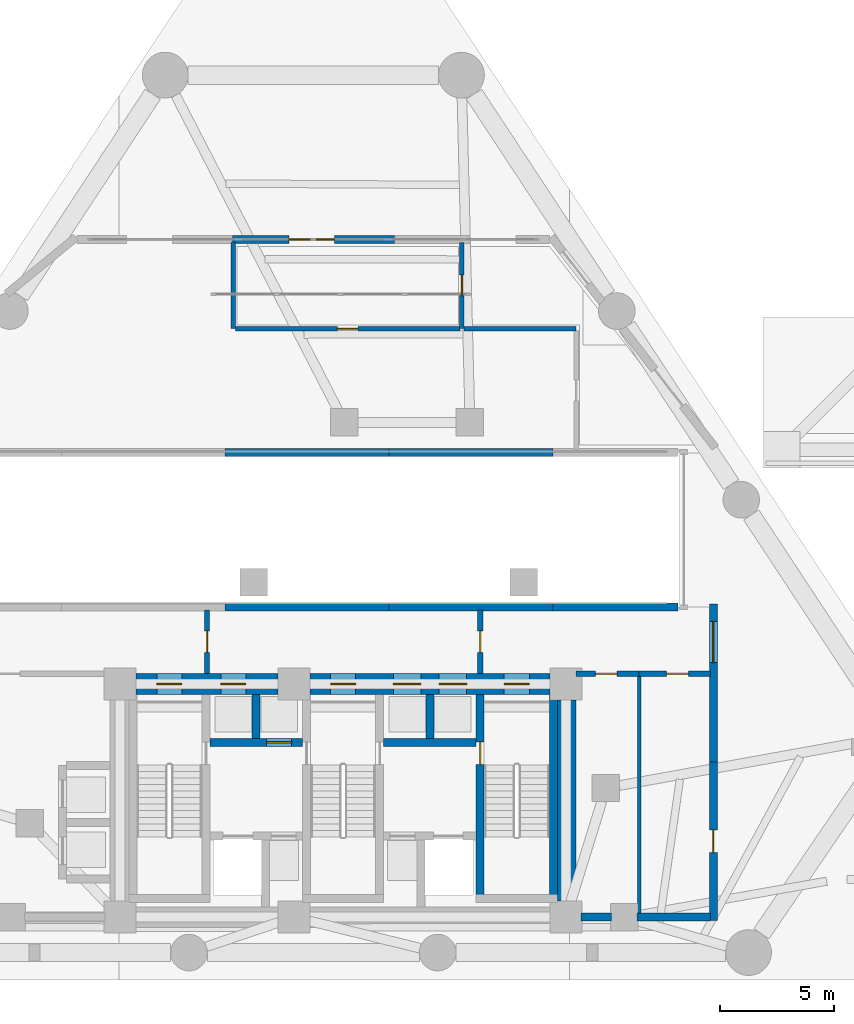
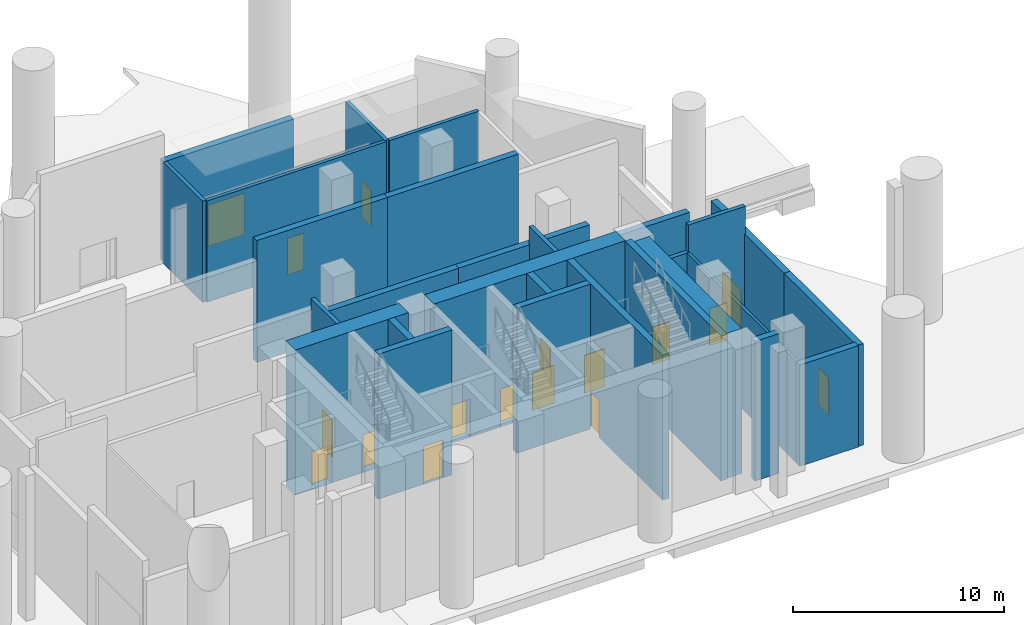
# One storey, part 7 of 12: 28 walls, 17 doors, 17 openings.
"""IFC4 building model written with IfcOpenShell, lengths in metres."""

from ifc_helpers import new_model, si_unit, direction, frame, frame_2d, origin, place, context, subcontext, project, spatial, rectangle, extrude, material, layer, layer_set, type_object, element, fill, save


model = new_model("IFC4")

# Units and contexts
model_context = context("Model", 3, precision=1e-05, world=origin(), true_north=direction((0.0, 1.0)))
body_context = subcontext(model_context, "Body", "Model", "MODEL_VIEW")
ifc_project = project(units=[si_unit("LENGTHUNIT", "METRE"), si_unit("AREAUNIT", "SQUARE_METRE"), si_unit("VOLUMEUNIT", "CUBIC_METRE"), si_unit("PLANEANGLEUNIT", "RADIAN"), si_unit("MASSUNIT", "GRAM", prefix="KILO")], contexts=[model_context])

# Site, building, storey
site_placement = place(None, origin())
site = spatial("IfcSite", under=ifc_project, at=site_placement, CompositionType="ELEMENT")
building_placement = place(site_placement, origin())
building = spatial("IfcBuilding", under=site, at=building_placement, Name="Almagre Mirador Tower", CompositionType="ELEMENT")
storey_placement = place(building_placement, origin())
storey = spatial("IfcBuildingStorey", under=building, at=storey_placement, Name="L00", CompositionType="ELEMENT", Elevation=0.0)

# Walls
ifc_material_1 = material(Name="Precast concrete C50/60", Category="concrete")
ifc_layer_1 = layer(ifc_material_1, 0.35009765625)
ifc_layer_set_1 = layer_set([ifc_layer_1], Name="Precast concrete C50/60")
wall_type_1 = type_object("IfcWallType", Name="WAL-EXT-350", PredefinedType="SOLIDWALL", material=ifc_layer_set_1)
for number, where, z_axis, x_axis, name in (
    (1, (46.47412109375, 24.8798828125, 0.0), (0.0, 0.0, 1.0), (-1.0, 0.0, 0.0), "L00 ground enclosure wall 3.2"),
    (2, (39.30810546875, 24.8798828125, 0.0), (0.0, 0.0, 1.0), (-1.0, 0.0, 0.0), "L00 ground enclosure wall 3.3"),
    (3, (32.14208984375, 18.1201171875, 0.0), (0.0, 0.0, 1.0), (1.0, 0.0, 0.0), "L00 ground enclosure wall 5.3"),
    (4, (39.30810546875, 18.1201171875, 0.0), (0.0, 0.0, 1.0), (1.0, 0.0, 0.0), "L00 ground enclosure wall 5.4"),
):
    element("IfcWall", number, at=place(storey_placement, frame(where, z_axis=z_axis, x_axis=x_axis)), inside=storey, type_object=wall_type_1, Name=name, PredefinedType="SOLIDWALL", context=body_context, shape_type="SweptSolid", body=[
        extrude(rectangle(XDim=7.166015625, YDim=0.35009765625, at=frame_2d((3.5830078125, 0.0))), origin(), (0.0, 0.0, 1.0), 7.06396484375),
    ])
wall_1_placement = place(storey_placement, frame((46.47412109375, 18.1201171875, 0.0), z_axis=(0.0, 0.0, 1.0), x_axis=(1.0, 0.0, 0.0)))
element("IfcWall", 5, at=wall_1_placement, inside=storey, type_object=wall_type_1, Name="L00 ground enclosure wall 5.5", PredefinedType="SOLIDWALL", context=body_context, shape_type="SweptSolid", body=[
    extrude(rectangle(XDim=5.48583984375, YDim=0.35009765625, at=frame_2d((2.742919921875, 0.0))), origin(), (0.0, 0.0, 1.0), 5.875),
])

# Wall, opening, door
wall_2_placement = place(storey_placement, frame((53.5, 18.260009765625, 0.0), z_axis=(0.0, 0.0, 1.0), x_axis=(0.0, -1.0, 0.0)))
wall_2 = element("IfcWall", 6, at=wall_2_placement, inside=storey, type_object=wall_type_1, Name="L00 ground enclosure wall 6.1", PredefinedType="SOLIDWALL", context=body_context, shape_type="SweptSolid", body=[
    extrude(rectangle(XDim=6.925048828125, YDim=0.35009765625, at=frame_2d((3.46240234375, 0.0))), origin(), (0.0, 0.0, 1.0), 5.875),
])
opening_1_placement = place(wall_2_placement, frame((0.780029296875, 0.0, 0.0)))
opening_1 = element("IfcOpeningElement", 7, at=opening_1_placement, cuts=wall_2, Name="Opening ED-01", PredefinedType="OPENING", context=body_context, shape_type="SweptSolid", body=[
    extrude(rectangle(XDim=1.800048828125, YDim=2.199951171875, at=frame_2d((0.89990234375, 1.10009765625))), frame((0.0, 0.185049, 0.0), z_axis=(0.0, -1.0, 0.0), x_axis=(1.0, 0.0, 0.0)), (0.0, 0.0, 1.0), 0.370098),
])
ifc_material_2 = material(Name="Black anodized aluminium and laminated glass", Category="aluminium")
door_type_1 = type_object("IfcDoorType", Name="DOR-EXT-DBL-1800", OperationType="DOUBLE_DOOR_SINGLE_SWING", PredefinedType="DOOR", material=ifc_material_2)
door_1_placement = place(opening_1_placement, origin())
door_1 = element("IfcDoor", 8, at=door_1_placement, inside=storey, type_object=door_type_1, Name="DR-0037 L00 Protected Exit Passageway ST-3 final exit door ED-01", OperationType="DOUBLE_DOOR_SINGLE_SWING", OverallHeight=2.199951171875, OverallWidth=1.800048828125, PredefinedType="DOOR", context=body_context, shape_type="SweptSolid", body=[
    extrude(rectangle(XDim=1.800048828125, YDim=2.199951171875, at=frame_2d((0.89990234375, 1.10009765625))), frame((0.0, 0.02490234375, 0.0), z_axis=(0.0, -1.0, 0.0), x_axis=(1.0, 0.0, 0.0)), (0.0, 0.0, 1.0), 0.050048828125),
])
fill(opening_1, door_1)

wall_3_placement = place(storey_placement, frame((53.5, 11.3349609375, 0.0), z_axis=(0.0, 0.0, 1.0), x_axis=(0.0, -1.0, 0.0)))
wall_3 = element("IfcWall", 9, at=wall_3_placement, inside=storey, type_object=wall_type_1, Name="L00 ground enclosure wall 6.2", PredefinedType="SOLIDWALL", context=body_context, shape_type="SweptSolid", body=[
    extrude(rectangle(XDim=6.925048828125, YDim=0.35009765625, at=frame_2d((3.46240234375, 0.0))), origin(), (0.0, 0.0, 1.0), 5.875),
])
opening_2_placement = place(wall_3_placement, frame((2.96240234375, 0.0, 0.0)))
opening_2 = element("IfcOpeningElement", 10, at=opening_2_placement, cuts=wall_3, Name="Opening ED-03", PredefinedType="OPENING", context=body_context, shape_type="SweptSolid", body=[
    extrude(rectangle(XDim=1.0, YDim=2.14990234375, at=frame_2d((0.5, 1.074951171875))), frame((0.0, 0.185049, 0.0), z_axis=(0.0, -1.0, 0.0), x_axis=(1.0, 0.0, 0.0)), (0.0, 0.0, 1.0), 0.370098),
])
ifc_material_3 = material(Name="Hollow galvanized steel", Category="steel")
door_type_2 = type_object("IfcDoorType", Name="DOR-EXT-FCC-1000", OperationType="NOTDEFINED", PredefinedType="DOOR", material=ifc_material_3)
door_2_placement = place(opening_2_placement, origin())
door_2 = element("IfcDoor", 11, at=door_2_placement, inside=storey, type_object=door_type_2, Name="DR-0043 L00 Fire Command Center exterior access door", OperationType="SINGLE_SWING_LEFT", OverallHeight=2.14990234375, OverallWidth=1.0, PredefinedType="DOOR", context=body_context, shape_type="SweptSolid", body=[
    extrude(rectangle(XDim=1.0, YDim=2.14990234375, at=frame_2d((0.5, 1.074951171875))), frame((0.0, 0.02490234375, 0.0), z_axis=(0.0, -1.0, 0.0), x_axis=(1.0, 0.0, 0.0)), (0.0, 0.0, 1.0), 0.050048828125),
])
fill(opening_2, door_2)

# Walls
wall_4_placement = place(storey_placement, frame((53.3798828125, 4.550048828125, 0.0), z_axis=(0.0, 0.0, 1.0), x_axis=(-1.0, 0.0, 0.0)))
element("IfcWall", 12, at=wall_4_placement, inside=storey, type_object=wall_type_1, Name="L00 ground enclosure wall 7.1", PredefinedType="SOLIDWALL", context=body_context, shape_type="SweptSolid", body=[
    extrude(rectangle(XDim=3.2177734375, YDim=0.35009765625, at=frame_2d((1.60888671875, 0.0))), origin(), (0.0, 0.0, 1.0), 5.875),
])
wall_5_placement = place(storey_placement, frame((49.0380859375, 4.550048828125, 0.0), z_axis=(0.0, 0.0, 1.0), x_axis=(-1.0, 0.0, 0.0)))
element("IfcWall", 13, at=wall_5_placement, inside=storey, type_object=wall_type_1, Name="L00 ground enclosure wall 7.2", PredefinedType="SOLIDWALL", context=body_context, shape_type="SweptSolid", body=[
    extrude(rectangle(XDim=1.326171875, YDim=0.35009765625, at=frame_2d((0.6630859375, 0.0))), origin(), (0.0, 0.0, 1.0), 8.10009765625),
])

# Wall, opening, door
wall_6_placement = place(storey_placement, frame((32.453369140625, 34.199951171875, 0.0), z_axis=(0.0, 0.0, 1.0), x_axis=(1.0, 0.0, 0.0)))
wall_6 = element("IfcWall", 14, at=wall_6_placement, inside=storey, type_object=wall_type_1, Name="L00 ground enclosure wall 11.2", PredefinedType="SOLIDWALL", context=body_context, shape_type="SweptSolid", body=[
    extrude(rectangle(XDim=7.09326171875, YDim=0.35009765625, at=frame_2d((3.546630859375, 0.0))), origin(), (0.0, 0.0, 1.0), 5.875),
])
opening_3_placement = place(wall_6_placement, frame((2.4716796875, 0.0, 0.0)))
opening_3 = element("IfcOpeningElement", 15, at=opening_3_placement, cuts=wall_6, Name="Opening ED-02", PredefinedType="OPENING", context=body_context, shape_type="SweptSolid", body=[
    extrude(rectangle(XDim=2.0, YDim=2.39990234375, at=frame_2d((1.0, 1.199951171875))), frame((0.0, 0.185049, 0.0), z_axis=(0.0, -1.0, 0.0), x_axis=(1.0, 0.0, 0.0)), (0.0, 0.0, 1.0), 0.370098),
])
ifc_material_4 = material(Name="Black anodized aluminium and laminated glass", Category="aluminium")
door_type_3 = type_object("IfcDoorType", Name="DOR-EXT-ENT-2000", OperationType="DOUBLE_DOOR_SINGLE_SWING", PredefinedType="DOOR", material=ifc_material_4)
door_3_placement = place(opening_3_placement, origin())
door_3 = element("IfcDoor", 16, at=door_3_placement, inside=storey, type_object=door_type_3, Name="DR-0041 L00 main plaza entrance double door 11-2", OperationType="DOUBLE_DOOR_SINGLE_SWING", OverallHeight=2.39990234375, OverallWidth=2.0, PredefinedType="DOOR", context=body_context, shape_type="SweptSolid", body=[
    extrude(rectangle(XDim=2.0, YDim=2.39990234375, at=frame_2d((1.0, 1.199951171875))), frame((0.0, 0.02490234375, 0.0), z_axis=(0.0, -1.0, 0.0), x_axis=(1.0, 0.0, 0.0)), (0.0, 0.0, 1.0), 0.050048828125),
])
fill(opening_3, door_3)

# Wall
ifc_material_5 = material(Name="Gypsum acoustic stud partition", Category="other")
ifc_layer_2 = layer(ifc_material_5, 0.14990234375)
ifc_layer_set_2 = layer_set([ifc_layer_2], Name="Gypsum acoustic stud partition")
wall_type_2 = type_object("IfcWallType", Name="WAL-PRT-150-STD", PredefinedType="PARTITIONING", material=ifc_layer_set_2)
wall_7_placement = place(storey_placement, frame((50.25, 4.675048828125, 0.0), z_axis=(0.0, 0.0, 1.0), x_axis=(0.0, 1.0, 0.0)))
element("IfcWall", 17, at=wall_7_placement, inside=storey, type_object=wall_type_2, Name="L00 interior partition 013", PredefinedType="PARTITIONING", context=body_context, shape_type="SweptSolid", body=[
    extrude(rectangle(XDim=10.427490234375, YDim=0.14990234375, at=frame_2d((5.2138671875, 0.0))), origin(), (0.0, 0.0, 1.0), 5.8701171875),
])

# Wall, opening, door
ifc_material_6 = material(Name="Gypsum acoustic stud partition", Category="other")
ifc_layer_3 = layer(ifc_material_6, 0.199951171875)
ifc_layer_set_3 = layer_set([ifc_layer_3], Name="Gypsum acoustic stud partition")
wall_type_3 = type_object("IfcWallType", Name="WAL-PRT-200-EI60", PredefinedType="PARTITIONING", material=ifc_layer_set_3)
wall_8_placement = place(storey_placement, frame((42.5, 30.300048828125, 0.0), z_axis=(0.0, 0.0, 1.0), x_axis=(0.0, 1.0, 0.0)))
wall_8 = element("IfcWall", 18, at=wall_8_placement, inside=storey, type_object=wall_type_3, Name="L00 interior partition 008", PredefinedType="PARTITIONING", context=body_context, shape_type="SweptSolid", body=[
    extrude(rectangle(XDim=3.77490234375, YDim=0.199951171875, at=frame_2d((1.887451171875, 0.0))), origin(), (0.0, 0.0, 1.0), 5.8701171875),
])
opening_4_placement = place(wall_8_placement, frame((1.44091796875, 0.0, 0.0)))
opening_4 = element("IfcOpeningElement", 19, at=opening_4_placement, cuts=wall_8, Name="Opening ID-03", PredefinedType="OPENING", context=body_context, shape_type="SweptSolid", body=[
    extrude(rectangle(XDim=0.89990234375, YDim=2.10009765625, at=frame_2d((0.449951171875, 1.050048828125))), frame((0.0, 0.110098, 0.0), z_axis=(0.0, -1.0, 0.0), x_axis=(1.0, 0.0, 0.0)), (0.0, 0.0, 1.0), 0.219951),
])
ifc_material_7 = material(Name="Fire-rated hollow steel", Category="steel")
door_type_4 = type_object("IfcDoorType", Name="DOR-FD60-900X2100", OperationType="NOTDEFINED", PredefinedType="DOOR", material=ifc_material_7)
door_4_placement = place(opening_4_placement, origin())
door_4 = element("IfcDoor", 20, at=door_4_placement, inside=storey, type_object=door_type_4, Name="DR-0049 L00 interior door L00-LOB-RES to L00-CONC", OperationType="SINGLE_SWING_LEFT", OverallHeight=2.10009765625, OverallWidth=0.89990234375, PredefinedType="DOOR", context=body_context, shape_type="SweptSolid", body=[
    extrude(rectangle(XDim=0.89990234375, YDim=2.10009765625, at=frame_2d((0.449951171875, 1.050048828125))), frame((0.0, 0.02490234375, 0.0), z_axis=(0.0, -1.0, 0.0), x_axis=(1.0, 0.0, 0.0)), (0.0, 0.0, 1.0), 0.050048828125),
])
fill(opening_4, door_4)

# Wall
wall_9_placement = place(storey_placement, frame((32.5, 34.080078125, 0.0), z_axis=(0.0, 0.0, 1.0), x_axis=(0.0, -1.0, 0.0)))
element("IfcWall", 21, at=wall_9_placement, inside=storey, type_object=wall_type_3, Name="L00 interior partition 009", PredefinedType="PARTITIONING", context=body_context, shape_type="SweptSolid", body=[
    extrude(rectangle(XDim=3.780029296875, YDim=0.199951171875, at=frame_2d((1.89013671875, 0.0))), origin(), (0.0, 0.0, 1.0), 5.8701171875),
])

# Wall, opening, door
wall_10_placement = place(storey_placement, frame((32.5849609375, 30.300048828125, 0.0), z_axis=(0.0, 0.0, 1.0), x_axis=(1.0, 0.0, 0.0)))
wall_10 = element("IfcWall", 22, at=wall_10_placement, inside=storey, type_object=wall_type_3, Name="L00 interior partition 010", PredefinedType="PARTITIONING", context=body_context, shape_type="SweptSolid", body=[
    extrude(rectangle(XDim=9.830078125, YDim=0.199951171875, at=frame_2d((4.9150390625, 0.0))), origin(), (0.0, 0.0, 1.0), 5.8701171875),
])
opening_5_placement = place(wall_10_placement, frame((4.465087890625, 0.0, 0.0)))
opening_5 = element("IfcOpeningElement", 23, at=opening_5_placement, cuts=wall_10, Name="Opening ID-03", PredefinedType="OPENING", context=body_context, shape_type="SweptSolid", body=[
    extrude(rectangle(XDim=0.89990234375, YDim=2.10009765625, at=frame_2d((0.449951171875, 1.050048828125))), frame((0.0, 0.110098, 0.0), z_axis=(0.0, -1.0, 0.0), x_axis=(1.0, 0.0, 0.0)), (0.0, 0.0, 1.0), 0.219951),
])
door_5_placement = place(opening_5_placement, origin())
door_5 = element("IfcDoor", 24, at=door_5_placement, inside=storey, type_object=door_type_4, Name="DR-0052 L00 interior door L00-LOB-RES to L00-COR-01", OperationType="SINGLE_SWING_RIGHT", OverallHeight=2.10009765625, OverallWidth=0.89990234375, PredefinedType="DOOR", context=body_context, shape_type="SweptSolid", body=[
    extrude(rectangle(XDim=0.89990234375, YDim=2.10009765625, at=frame_2d((0.449951171875, 1.050048828125))), frame((0.0, 0.02490234375, 0.0), z_axis=(0.0, -1.0, 0.0), x_axis=(1.0, 0.0, 0.0)), (0.0, 0.0, 1.0), 0.050048828125),
])
fill(opening_5, door_5)

# Wall
wall_11_placement = place(storey_placement, frame((42.5849609375, 30.300048828125, 0.0), z_axis=(0.0, 0.0, 1.0), x_axis=(1.0, 0.0, 0.0)))
element("IfcWall", 25, at=wall_11_placement, inside=storey, type_object=wall_type_3, Name="L00 interior partition 011", PredefinedType="PARTITIONING", context=body_context, shape_type="SweptSolid", body=[
    extrude(rectangle(XDim=4.9150390625, YDim=0.199951171875, at=frame_2d((2.45751953125, 0.0))), origin(), (0.0, 0.0, 1.0), 5.8701171875),
])

# Wall, opening, door
ifc_material_8 = material(Name="Gypsum acoustic stud partition", Category="other")
ifc_layer_4 = layer(ifc_material_8, 0.22509765625)
ifc_layer_set_4 = layer_set([ifc_layer_4], Name="Gypsum acoustic stud partition")
wall_type_4 = type_object("IfcWallType", Name="WAL-PRT-225-EI120", PredefinedType="PARTITIONING", material=ifc_layer_set_4)
wall_12_placement = place(storey_placement, frame((31.35009765625, 15.199951171875, 0.0), z_axis=(0.0, 0.0, 1.0), x_axis=(0.0, 1.0, 0.0)))
wall_12 = element("IfcWall", 26, at=wall_12_placement, inside=storey, type_object=wall_type_4, Name="L00 interior partition 001", PredefinedType="PARTITIONING", context=body_context, shape_type="SweptSolid", body=[
    extrude(rectangle(XDim=2.795166015625, YDim=0.22509765625, at=frame_2d((1.3974609375, 0.0))), origin(), (0.0, 0.0, 1.0), 8.10009765625),
])
opening_6_placement = place(wall_12_placement, frame((0.9287109375, 0.0, 0.0)))
opening_6 = element("IfcOpeningElement", 27, at=opening_6_placement, cuts=wall_12, Name="Opening FD-02", PredefinedType="OPENING", context=body_context, shape_type="SweptSolid", body=[
    extrude(rectangle(XDim=0.949951171875, YDim=2.14990234375, at=frame_2d((0.47509765625, 1.074951171875))), frame((0.0, 0.122549, 0.0), z_axis=(0.0, -1.0, 0.0), x_axis=(1.0, 0.0, 0.0)), (0.0, 0.0, 1.0), 0.245098),
])
ifc_material_9 = material(Name="Fire-rated hollow steel", Category="steel")
door_type_5 = type_object("IfcDoorType", Name="DOR-FD90-950X2150", OperationType="NOTDEFINED", PredefinedType="DOOR", material=ifc_material_9)
door_6_placement = place(opening_6_placement, origin())
door_6 = element("IfcDoor", 28, at=door_6_placement, inside=storey, type_object=door_type_5, Name="DR-0053 L00 interior door L00-EXP-1 to L00-EXP-2", OperationType="SINGLE_SWING_LEFT", OverallHeight=2.14990234375, OverallWidth=0.949951171875, PredefinedType="DOOR", context=body_context, shape_type="SweptSolid", body=[
    extrude(rectangle(XDim=0.949951171875, YDim=2.14990234375, at=frame_2d((0.47509765625, 1.074951171875))), frame((0.0, 0.02490234375, 0.0), z_axis=(0.0, -1.0, 0.0), x_axis=(1.0, 0.0, 0.0)), (0.0, 0.0, 1.0), 0.050048828125),
])
fill(opening_6, door_6)

wall_13_placement = place(storey_placement, frame((43.300048828125, 15.199951171875, 0.0), z_axis=(0.0, 0.0, 1.0), x_axis=(0.0, 1.0, 0.0)))
wall_13 = element("IfcWall", 29, at=wall_13_placement, inside=storey, type_object=wall_type_4, Name="L00 interior partition 005", PredefinedType="PARTITIONING", context=body_context, shape_type="SweptSolid", body=[
    extrude(rectangle(XDim=2.795166015625, YDim=0.22509765625, at=frame_2d((1.3974609375, 0.0))), origin(), (0.0, 0.0, 1.0), 8.10009765625),
])
opening_7_placement = place(wall_13_placement, frame((0.9287109375, 0.0, 0.0)))
opening_7 = element("IfcOpeningElement", 30, at=opening_7_placement, cuts=wall_13, Name="Opening FD-02", PredefinedType="OPENING", context=body_context, shape_type="SweptSolid", body=[
    extrude(rectangle(XDim=0.949951171875, YDim=2.14990234375, at=frame_2d((0.47509765625, 1.074951171875))), frame((0.0, 0.122549, 0.0), z_axis=(0.0, -1.0, 0.0), x_axis=(1.0, 0.0, 0.0)), (0.0, 0.0, 1.0), 0.245098),
])
door_7_placement = place(opening_7_placement, origin())
door_7 = element("IfcDoor", 31, at=door_7_placement, inside=storey, type_object=door_type_5, Name="DR-0055 L00 interior door L00-EXP-2 to L00-EXP-3", OperationType="SINGLE_SWING_LEFT", OverallHeight=2.14990234375, OverallWidth=0.949951171875, PredefinedType="DOOR", context=body_context, shape_type="SweptSolid", body=[
    extrude(rectangle(XDim=0.949951171875, YDim=2.14990234375, at=frame_2d((0.47509765625, 1.074951171875))), frame((0.0, 0.02490234375, 0.0), z_axis=(0.0, -1.0, 0.0), x_axis=(1.0, 0.0, 0.0)), (0.0, 0.0, 1.0), 0.050048828125),
])
fill(opening_7, door_7)

wall_14_placement = place(storey_placement, frame((47.5, 15.199951171875, 0.0), z_axis=(0.0, 0.0, 1.0), x_axis=(1.0, 0.0, 0.0)))
wall_14 = element("IfcWall", 32, at=wall_14_placement, inside=storey, type_object=wall_type_4, Name="L00 interior partition 006", PredefinedType="PARTITIONING", context=body_context, shape_type="SweptSolid", body=[
    extrude(rectangle(XDim=2.75, YDim=0.22509765625, at=frame_2d((1.375, 0.0))), origin(), (0.0, 0.0, 1.0), 5.8701171875),
])
opening_8_placement = place(wall_14_placement, frame((0.841552734375, 0.0, 0.0)))
opening_8 = element("IfcOpeningElement", 33, at=opening_8_placement, cuts=wall_14, Name="Opening FD-02", PredefinedType="OPENING", context=body_context, shape_type="SweptSolid", body=[
    extrude(rectangle(XDim=0.949951171875, YDim=2.14990234375, at=frame_2d((0.47509765625, 1.074951171875))), frame((0.0, 0.122549, 0.0), z_axis=(0.0, -1.0, 0.0), x_axis=(1.0, 0.0, 0.0)), (0.0, 0.0, 1.0), 0.245098),
])
door_8_placement = place(opening_8_placement, origin())
door_8 = element("IfcDoor", 34, at=door_8_placement, inside=storey, type_object=door_type_5, Name="DR-0057 L00 interior door L00-EXP-3 to L00-WC-ADA", OperationType="SINGLE_SWING_LEFT", OverallHeight=2.14990234375, OverallWidth=0.949951171875, PredefinedType="DOOR", context=body_context, shape_type="SweptSolid", body=[
    extrude(rectangle(XDim=0.949951171875, YDim=2.14990234375, at=frame_2d((0.47509765625, 1.074951171875))), frame((0.0, 0.02490234375, 0.0), z_axis=(0.0, -1.0, 0.0), x_axis=(1.0, 0.0, 0.0)), (0.0, 0.0, 1.0), 0.050048828125),
])
fill(opening_8, door_8)

wall_15_placement = place(storey_placement, frame((50.25, 15.199951171875, 0.0), z_axis=(0.0, 0.0, 1.0), x_axis=(1.0, 0.0, 0.0)))
wall_15 = element("IfcWall", 35, at=wall_15_placement, inside=storey, type_object=wall_type_4, Name="L00 interior partition 007", PredefinedType="PARTITIONING", context=body_context, shape_type="SweptSolid", body=[
    extrude(rectangle(XDim=3.125, YDim=0.22509765625, at=frame_2d((1.5625, 0.0))), origin(), (0.0, 0.0, 1.0), 7.4619140625),
])
opening_9_placement = place(wall_15_placement, frame((1.20947265625, 0.0, 0.0)))
opening_9 = element("IfcOpeningElement", 36, at=opening_9_placement, cuts=wall_15, Name="Opening FD-02", PredefinedType="OPENING", context=body_context, shape_type="SweptSolid", body=[
    extrude(rectangle(XDim=0.949951171875, YDim=2.14990234375, at=frame_2d((0.47509765625, 1.074951171875))), frame((0.0, 0.122549, 0.0), z_axis=(0.0, -1.0, 0.0), x_axis=(1.0, 0.0, 0.0)), (0.0, 0.0, 1.0), 0.245098),
])
door_9_placement = place(opening_9_placement, origin())
door_9 = element("IfcDoor", 37, at=door_9_placement, inside=storey, type_object=door_type_5, Name="DR-0056 L00 interior door L00-EXP-3 to L00-FCC", OperationType="SINGLE_SWING_RIGHT", OverallHeight=2.14990234375, OverallWidth=0.949951171875, PredefinedType="DOOR", context=body_context, shape_type="SweptSolid", body=[
    extrude(rectangle(XDim=0.949951171875, YDim=2.14990234375, at=frame_2d((0.47509765625, 1.074951171875))), frame((0.0, 0.02490234375, 0.0), z_axis=(0.0, -1.0, 0.0), x_axis=(1.0, 0.0, 0.0)), (0.0, 0.0, 1.0), 0.050048828125),
])
fill(opening_9, door_9)

ifc_material_10 = material(Name="Concrete C60/75", Category="concrete")
ifc_layer_5 = layer(ifc_material_10, 0.35009765625)
ifc_layer_set_5 = layer_set([ifc_layer_5], Name="Concrete C60/75")
wall_type_5 = type_object("IfcWallType", Name="WAL-SHF-350", PredefinedType="SOLIDWALL", material=ifc_layer_set_5)
wall_16_placement = place(storey_placement, frame((43.300048828125, 5.199951171875, 0.0), z_axis=(0.0, 0.0, 1.0), x_axis=(0.0, 1.0, 0.0)))
wall_16 = element("IfcWall", 38, at=wall_16_placement, inside=storey, type_object=wall_type_5, Name="L00 shaft wall ST3-W", PredefinedType="SOLIDWALL", context=body_context, shape_type="SweptSolid", body=[
    extrude(rectangle(XDim=9.10009765625, YDim=0.35009765625, at=frame_2d((4.550048828125, 0.0))), origin(), (0.0, 0.0, 1.0), 8.39990234375),
])
opening_10_placement = place(wall_16_placement, frame((6.02001953125, 0.0, 0.0)))
opening_10 = element("IfcOpeningElement", 39, at=opening_10_placement, cuts=wall_16, Name="Opening FD-01", PredefinedType="OPENING", context=body_context, shape_type="SweptSolid", body=[
    extrude(rectangle(XDim=1.0, YDim=2.14990234375, at=frame_2d((0.5, 1.074951171875))), frame((0.0, 0.185049, 0.0), z_axis=(0.0, -1.0, 0.0), x_axis=(1.0, 0.0, 0.0)), (0.0, 0.0, 1.0), 0.370098),
])
ifc_material_11 = material(Name="Fire-rated hollow steel", Category="steel")
door_type_6 = type_object("IfcDoorType", Name="DOR-FFL-1000X2150", OperationType="NOTDEFINED", PredefinedType="DOOR", material=ifc_material_11)
door_10_placement = place(opening_10_placement, origin())
door_10 = element("IfcDoor", 40, at=door_10_placement, inside=storey, type_object=door_type_6, Name="DR-0047 L00 FFL2-ST3 smokeproof door", OperationType="SINGLE_SWING_LEFT", OverallHeight=2.14990234375, OverallWidth=1.0, PredefinedType="DOOR", context=body_context, shape_type="SweptSolid", body=[
    extrude(rectangle(XDim=1.0, YDim=2.14990234375, at=frame_2d((0.5, 1.074951171875))), frame((0.0, 0.02490234375, 0.0), z_axis=(0.0, -1.0, 0.0), x_axis=(1.0, 0.0, 0.0)), (0.0, 0.0, 1.0), 0.050048828125),
])
fill(opening_10, door_10)

# Wall
wall_17_placement = place(storey_placement, frame((46.5, 5.199951171875, 0.0), z_axis=(0.0, 0.0, 1.0), x_axis=(0.0, 1.0, 0.0)))
element("IfcWall", 41, at=wall_17_placement, inside=storey, type_object=wall_type_5, Name="L00 shaft wall ST3-E", PredefinedType="SOLIDWALL", context=body_context, shape_type="SweptSolid", body=[
    extrude(rectangle(XDim=9.10009765625, YDim=0.35009765625, at=frame_2d((4.550048828125, 0.0))), origin(), (0.0, 0.0, 1.0), 8.39990234375),
])

# Wall, opening, door
wall_18_placement = place(storey_placement, frame((31.47509765625, 12.199951171875, 0.0), z_axis=(0.0, 0.0, 1.0), x_axis=(1.0, 0.0, 0.0)))
wall_18 = element("IfcWall", 42, at=wall_18_placement, inside=storey, type_object=wall_type_5, Name="L00 shaft wall PLM-S", PredefinedType="SOLIDWALL", context=body_context, shape_type="SweptSolid", body=[
    extrude(rectangle(XDim=4.0498046875, YDim=0.35009765625, at=frame_2d((2.02490234375, 0.0))), origin(), (0.0, 0.0, 1.0), 8.39990234375),
])
opening_11_placement = place(wall_18_placement, frame((2.47509765625, 0.0, 0.0)))
opening_11 = element("IfcOpeningElement", 43, at=opening_11_placement, cuts=wall_18, Name="Opening LD-01", PredefinedType="OPENING", context=body_context, shape_type="SweptSolid", body=[
    extrude(rectangle(XDim=1.10009765625, YDim=2.199951171875, at=frame_2d((0.550048828125, 1.10009765625))), frame((0.0, 0.185049, 0.0), z_axis=(0.0, -1.0, 0.0), x_axis=(1.0, 0.0, 0.0)), (0.0, 0.0, 1.0), 0.370098),
])
ifc_material_12 = material(Name="Hollow stainless steel", Category="steel")
door_type_7 = type_object("IfcDoorType", Name="DOR-LD-1100X2200", OperationType="DOUBLE_DOOR_SLIDING", PredefinedType="DOOR", material=ifc_material_12)
door_11_placement = place(opening_11_placement, origin())
door_11 = element("IfcDoor", 44, at=door_11_placement, inside=storey, type_object=door_type_7, Name="DR-0067 L00 PL-M2 lift landing door", OperationType="DOUBLE_DOOR_SLIDING", OverallHeight=2.199951171875, OverallWidth=1.10009765625, PredefinedType="DOOR", context=body_context, shape_type="SweptSolid", body=[
    extrude(rectangle(XDim=1.10009765625, YDim=2.199951171875, at=frame_2d((0.550048828125, 1.10009765625))), frame((0.0, 0.02490234375, 0.0), z_axis=(0.0, -1.0, 0.0), x_axis=(1.0, 0.0, 0.0)), (0.0, 0.0, 1.0), 0.050048828125),
])
fill(opening_11, door_11)

# Walls
wall_19_placement = place(storey_placement, frame((33.5, 12.375, 0.0), z_axis=(0.0, 0.0, 1.0), x_axis=(0.0, 1.0, 0.0)))
element("IfcWall", 45, at=wall_19_placement, inside=storey, type_object=wall_type_5, Name="L00 shaft wall PLM-M", PredefinedType="SOLIDWALL", context=body_context, shape_type="SweptSolid", body=[
    extrude(rectangle(XDim=1.925048828125, YDim=0.35009765625, at=frame_2d((0.96240234375, 0.0))), origin(), (0.0, 0.0, 1.0), 8.39990234375),
])
wall_20_placement = place(storey_placement, frame((39.074951171875, 12.199951171875, 0.0), z_axis=(0.0, 0.0, 1.0), x_axis=(1.0, 0.0, 0.0)))
element("IfcWall", 46, at=wall_20_placement, inside=storey, type_object=wall_type_5, Name="L00 shaft wall PLH-S", PredefinedType="SOLIDWALL", context=body_context, shape_type="SweptSolid", body=[
    extrude(rectangle(XDim=4.050048828125, YDim=0.35009765625, at=frame_2d((2.02490234375, 0.0))), origin(), (0.0, 0.0, 1.0), 8.39990234375),
])
wall_21_placement = place(storey_placement, frame((41.10009765625, 12.375, 0.0), z_axis=(0.0, 0.0, 1.0), x_axis=(0.0, 1.0, 0.0)))
element("IfcWall", 47, at=wall_21_placement, inside=storey, type_object=wall_type_5, Name="L00 shaft wall PLH-M", PredefinedType="SOLIDWALL", context=body_context, shape_type="SweptSolid", body=[
    extrude(rectangle(XDim=1.925048828125, YDim=0.35009765625, at=frame_2d((0.96240234375, 0.0))), origin(), (0.0, 0.0, 1.0), 8.39990234375),
])

# Wall, openings, doors
ifc_material_13 = material(Name="Concrete C70/85", Category="concrete")
ifc_layer_6 = layer(ifc_material_13, 0.89990234375)
ifc_layer_set_6 = layer_set([ifc_layer_6], Name="Concrete C70/85")
wall_type_6 = type_object("IfcWallType", Name="WAL-SHR-900", PredefinedType="SHEAR", material=ifc_layer_set_6)
wall_22_placement = place(storey_placement, frame((28.25, 14.75, 0.0), z_axis=(0.0, 0.0, 1.0), x_axis=(1.0, 0.0, 0.0)))
wall_22 = element("IfcWall", 48, at=wall_22_placement, inside=storey, type_object=wall_type_6, Name="L00 core shear wall N1", PredefinedType="SHEAR", context=body_context, shape_type="SweptSolid", body=[
    extrude(rectangle(XDim=6.199951171875, YDim=0.89990234375, at=frame_2d((3.10009765625, 0.0))), origin(), (0.0, 0.0, 1.0), 8.39990234375),
])
opening_12_placement = place(wall_22_placement, frame((0.89990234375, 0.0, 0.0)))
opening_12 = element("IfcOpeningElement", 49, at=opening_12_placement, cuts=wall_22, Name="Opening SD-02", PredefinedType="OPENING", context=body_context, shape_type="SweptSolid", body=[
    extrude(rectangle(XDim=1.10009765625, YDim=2.199951171875, at=frame_2d((0.550048828125, 1.10009765625))), frame((0.0, 0.459951, 0.0), z_axis=(0.0, -1.0, 0.0), x_axis=(1.0, 0.0, 0.0)), (0.0, 0.0, 1.0), 0.919902),
])
opening_13_placement = place(wall_22_placement, frame((3.699951171875, 0.0, 0.0)))
opening_13 = element("IfcOpeningElement", 50, at=opening_13_placement, cuts=wall_22, Name="Opening LD-01", PredefinedType="OPENING", context=body_context, shape_type="SweptSolid", body=[
    extrude(rectangle(XDim=1.10009765625, YDim=2.199951171875, at=frame_2d((0.550048828125, 1.10009765625))), frame((0.0, 0.459951, 0.0), z_axis=(0.0, -1.0, 0.0), x_axis=(1.0, 0.0, 0.0)), (0.0, 0.0, 1.0), 0.919902),
])
door_12_placement = place(opening_13_placement, origin())
door_12 = element("IfcDoor", 51, at=door_12_placement, inside=storey, type_object=door_type_7, Name="DR-0066 L00 PL-M1 lift landing door", OperationType="DOUBLE_DOOR_SLIDING", OverallHeight=2.199951171875, OverallWidth=1.10009765625, PredefinedType="DOOR", context=body_context, shape_type="SweptSolid", body=[
    extrude(rectangle(XDim=1.10009765625, YDim=2.199951171875, at=frame_2d((0.550048828125, 1.10009765625))), frame((0.0, 0.02490234375, 0.0), z_axis=(0.0, -1.0, 0.0), x_axis=(1.0, 0.0, 0.0)), (0.0, 0.0, 1.0), 0.050048828125),
])
fill(opening_13, door_12)
ifc_material_14 = material(Name="Fire-rated hollow steel", Category="steel")
door_type_8 = type_object("IfcDoorType", Name="DOR-ST-1100X2200", OperationType="NOTDEFINED", PredefinedType="DOOR", material=ifc_material_14)
door_13_placement = place(opening_12_placement, origin())
door_13 = element("IfcDoor", 52, at=door_13_placement, inside=storey, type_object=door_type_8, Name="DR-0068 L00 protected exit stair ST-1 door", OperationType="SINGLE_SWING_RIGHT", OverallHeight=2.199951171875, OverallWidth=1.10009765625, PredefinedType="DOOR", context=body_context, shape_type="SweptSolid", body=[
    extrude(rectangle(XDim=1.10009765625, YDim=2.199951171875, at=frame_2d((0.550048828125, 1.10009765625))), frame((0.0, 0.02490234375, 0.0), z_axis=(0.0, -1.0, 0.0), x_axis=(1.0, 0.0, 0.0)), (0.0, 0.0, 1.0), 0.050048828125),
])
fill(opening_12, door_13)

wall_23_placement = place(storey_placement, frame((35.85009765625, 14.75, 0.0), z_axis=(0.0, 0.0, 1.0), x_axis=(1.0, 0.0, 0.0)))
wall_23 = element("IfcWall", 53, at=wall_23_placement, inside=storey, type_object=wall_type_6, Name="L00 core shear wall N2", PredefinedType="SHEAR", context=body_context, shape_type="SweptSolid", body=[
    extrude(rectangle(XDim=10.5, YDim=0.89990234375, at=frame_2d((5.25, 0.0))), origin(), (0.0, 0.0, 1.0), 8.39990234375),
])
opening_14_placement = place(wall_23_placement, frame((0.89990234375, 0.0, 0.0)))
opening_14 = element("IfcOpeningElement", 54, at=opening_14_placement, cuts=wall_23, Name="Opening SD-02", PredefinedType="OPENING", context=body_context, shape_type="SweptSolid", body=[
    extrude(rectangle(XDim=1.10009765625, YDim=2.199951171875, at=frame_2d((0.550048828125, 1.10009765625))), frame((0.0, 0.459951, 0.0), z_axis=(0.0, -1.0, 0.0), x_axis=(1.0, 0.0, 0.0)), (0.0, 0.0, 1.0), 0.919902),
])
opening_15_placement = place(wall_23_placement, frame((8.5, 0.0, 0.0)))
opening_15 = element("IfcOpeningElement", 55, at=opening_15_placement, cuts=wall_23, Name="Opening SD-02", PredefinedType="OPENING", context=body_context, shape_type="SweptSolid", body=[
    extrude(rectangle(XDim=1.10009765625, YDim=2.199951171875, at=frame_2d((0.550048828125, 1.10009765625))), frame((0.0, 0.459951, 0.0), z_axis=(0.0, -1.0, 0.0), x_axis=(1.0, 0.0, 0.0)), (0.0, 0.0, 1.0), 0.919902),
])
opening_16_placement = place(wall_23_placement, frame((3.64990234375, 0.0, 0.0)))
opening_16 = element("IfcOpeningElement", 56, at=opening_16_placement, cuts=wall_23, Name="Opening LD-02", PredefinedType="OPENING", context=body_context, shape_type="SweptSolid", body=[
    extrude(rectangle(XDim=1.199951171875, YDim=2.199951171875, at=frame_2d((0.60009765625, 1.10009765625))), frame((0.0, 0.459951, 0.0), z_axis=(0.0, -1.0, 0.0), x_axis=(1.0, 0.0, 0.0)), (0.0, 0.0, 1.0), 0.919902),
])
opening_17_placement = place(wall_23_placement, frame((5.64990234375, 0.0, 0.0)))
opening_17 = element("IfcOpeningElement", 57, at=opening_17_placement, cuts=wall_23, Name="Opening LD-02", PredefinedType="OPENING", context=body_context, shape_type="SweptSolid", body=[
    extrude(rectangle(XDim=1.199951171875, YDim=2.199951171875, at=frame_2d((0.60009765625, 1.10009765625))), frame((0.0, 0.459951, 0.0), z_axis=(0.0, -1.0, 0.0), x_axis=(1.0, 0.0, 0.0)), (0.0, 0.0, 1.0), 0.919902),
])
ifc_material_15 = material(Name="Hollow stainless steel", Category="steel")
door_type_9 = type_object("IfcDoorType", Name="DOR-LD-1200X2200", OperationType="DOUBLE_DOOR_SLIDING", PredefinedType="DOOR", material=ifc_material_15)
door_14_placement = place(opening_16_placement, origin())
door_14 = element("IfcDoor", 58, at=door_14_placement, inside=storey, type_object=door_type_9, Name="DR-0062 L00 PL-H1 lift landing door", OperationType="DOUBLE_DOOR_SLIDING", OverallHeight=2.199951171875, OverallWidth=1.199951171875, PredefinedType="DOOR", context=body_context, shape_type="SweptSolid", body=[
    extrude(rectangle(XDim=1.199951171875, YDim=2.199951171875, at=frame_2d((0.60009765625, 1.10009765625))), frame((0.0, 0.02490234375, 0.0), z_axis=(0.0, -1.0, 0.0), x_axis=(1.0, 0.0, 0.0)), (0.0, 0.0, 1.0), 0.050048828125),
])
fill(opening_16, door_14)
door_15_placement = place(opening_17_placement, origin())
door_15 = element("IfcDoor", 59, at=door_15_placement, inside=storey, type_object=door_type_9, Name="DR-0063 L00 PL-H2 lift landing door", OperationType="DOUBLE_DOOR_SLIDING", OverallHeight=2.199951171875, OverallWidth=1.199951171875, PredefinedType="DOOR", context=body_context, shape_type="SweptSolid", body=[
    extrude(rectangle(XDim=1.199951171875, YDim=2.199951171875, at=frame_2d((0.60009765625, 1.10009765625))), frame((0.0, 0.02490234375, 0.0), z_axis=(0.0, -1.0, 0.0), x_axis=(1.0, 0.0, 0.0)), (0.0, 0.0, 1.0), 0.050048828125),
])
fill(opening_17, door_15)
door_16_placement = place(opening_14_placement, origin())
door_16 = element("IfcDoor", 60, at=door_16_placement, inside=storey, type_object=door_type_8, Name="DR-0069 L00 protected exit stair ST-2 door", OperationType="SINGLE_SWING_RIGHT", OverallHeight=2.199951171875, OverallWidth=1.10009765625, PredefinedType="DOOR", context=body_context, shape_type="SweptSolid", body=[
    extrude(rectangle(XDim=1.10009765625, YDim=2.199951171875, at=frame_2d((0.550048828125, 1.10009765625))), frame((0.0, 0.02490234375, 0.0), z_axis=(0.0, -1.0, 0.0), x_axis=(1.0, 0.0, 0.0)), (0.0, 0.0, 1.0), 0.050048828125),
])
fill(opening_14, door_16)
door_17_placement = place(opening_15_placement, origin())
door_17 = element("IfcDoor", 61, at=door_17_placement, inside=storey, type_object=door_type_8, Name="DR-0070 L00 protected exit stair ST-3 door", OperationType="SINGLE_SWING_LEFT", OverallHeight=2.199951171875, OverallWidth=1.10009765625, PredefinedType="DOOR", context=body_context, shape_type="SweptSolid", body=[
    extrude(rectangle(XDim=1.10009765625, YDim=2.199951171875, at=frame_2d((0.550048828125, 1.10009765625))), frame((0.0, 0.02490234375, 0.0), z_axis=(0.0, -1.0, 0.0), x_axis=(1.0, 0.0, 0.0)), (0.0, 0.0, 1.0), 0.050048828125),
])
fill(opening_15, door_17)

# Wall
wall_24_placement = place(storey_placement, frame((47.050048828125, 5.25, 0.0), z_axis=(0.0, 0.0, 1.0), x_axis=(0.0, 1.0, 0.0)))
element("IfcWall", 62, at=wall_24_placement, inside=storey, type_object=wall_type_6, Name="L00 core shear wall E1", PredefinedType="SHEAR", context=body_context, shape_type="SweptSolid", body=[
    extrude(rectangle(XDim=8.800048828125, YDim=0.89990234375, at=frame_2d((4.39990234375, 0.0))), origin(), (0.0, 0.0, 1.0), 8.39990234375),
])

save(model, "model.ifc")
